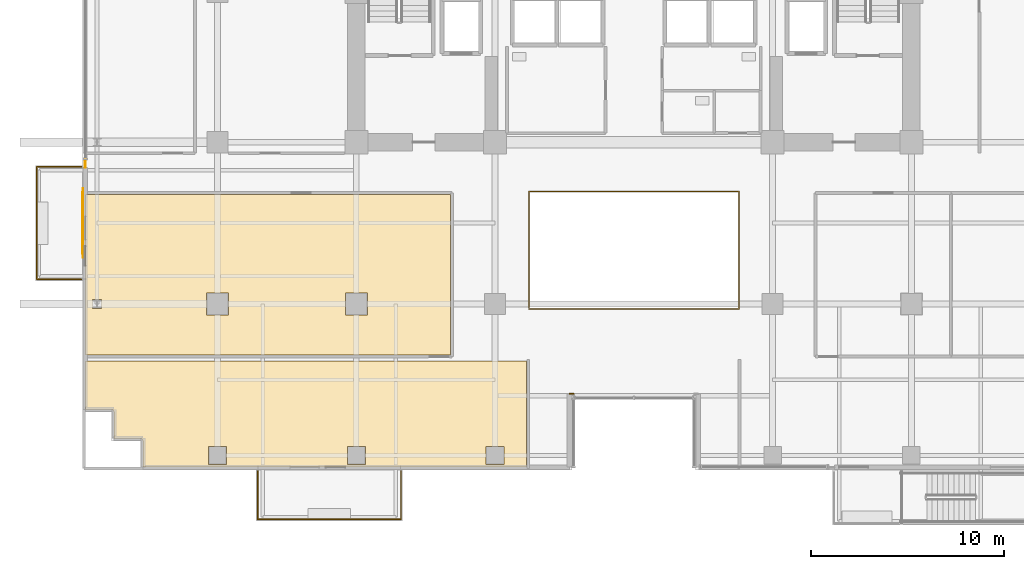
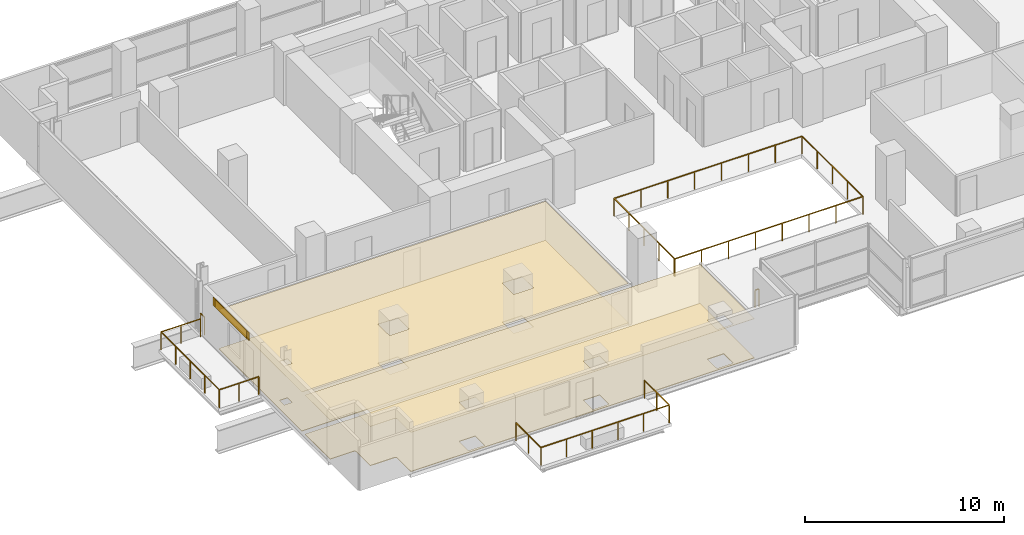
# One storey, part 28 of 31: 5 coverings, 5 railings, 1 shading device.
"""IFC4 building model written with IfcOpenShell, lengths in metres."""

from ifc_helpers import new_model, si_unit, direction, frame, origin, origin_2d, place, context, subcontext, project, spatial, polyline, rectangle, outline, extrude, source, transform, mapped, material, layer, layer_set, type_object, element, save


model = new_model("IFC4")

# Units and contexts
model_context = context("Model", 3, precision=1e-05, world=origin(), true_north=direction((0.0, 1.0)))
body_context = subcontext(model_context, "Body", "Model", "MODEL_VIEW")
ifc_project = project(units=[si_unit("LENGTHUNIT", "METRE"), si_unit("AREAUNIT", "SQUARE_METRE"), si_unit("VOLUMEUNIT", "CUBIC_METRE"), si_unit("PLANEANGLEUNIT", "RADIAN"), si_unit("MASSUNIT", "GRAM", prefix="KILO")], contexts=[model_context])

# Site, building, storey
site_placement = place(None, origin())
site = spatial("IfcSite", under=ifc_project, at=site_placement, CompositionType="ELEMENT")
building_placement = place(site_placement, origin())
building = spatial("IfcBuilding", under=site, at=building_placement, Name="Zarnakvel Exchange Tower", CompositionType="ELEMENT")
storey_placement = place(building_placement, frame((0.0, 0.0, 53.800048828125)))
storey = spatial("IfcBuildingStorey", under=building, at=storey_placement, Name="L14", CompositionType="ELEMENT", Elevation=53.800048828125)

# Coverings
ifc_material_1 = material(Name="Perforated Bronze Acoustic Metal Ceiling", Category="aluminium")
ifc_layer_1 = layer(ifc_material_1, 0.02001953125)
ifc_layer_set_1 = layer_set([ifc_layer_1], Name="Perforated Bronze Acoustic Metal Ceiling")
covering_type_1 = type_object("IfcCoveringType", Name="CLG-01", PredefinedType="CEILING", material=ifc_layer_set_1)
covering_1_placement = place(storey_placement, frame((0.0, 0.0, 2.405029296875)))
element("IfcCovering", 1, at=covering_1_placement, inside=storey, type_object=covering_type_1, Name="L14 Suspended Acoustic Ceiling (Commodities Dealing Room)", PredefinedType="CEILING", context=body_context, shape_type="SweptSolid", body=[
    extrude(outline(polyline([(-28.449951171875, -3.909912109375), (-9.510009765625, -3.909912109375), (-9.510009765625, -12.239990234375), (-28.449951171875, -12.239990234375), (-28.449951171875, -3.909912109375)]), holes=[polyline([(-13.830078125, -10.169921875), (-13.830078125, -9.030029296875), (-14.969970703125, -9.030029296875), (-14.969970703125, -10.169921875), (-13.830078125, -10.169921875)]), polyline([(-21.030029296875, -10.169921875), (-21.030029296875, -9.030029296875), (-22.169921875, -9.030029296875), (-22.169921875, -10.169921875), (-21.030029296875, -10.169921875)]), polyline([(-28.075927734375, -9.83251953125), (-27.6240234375, -9.83251953125), (-27.6240234375, -9.367431640625), (-28.075927734375, -9.367431640625), (-28.075927734375, -9.83251953125)])]), origin(), (0.0, 0.0, 1.0), 0.02001953125),
])
covering_2_placement = place(storey_placement, frame((0.0, 0.0, 2.405029296875)))
element("IfcCovering", 2, at=covering_2_placement, inside=storey, type_object=covering_type_1, Name="L14 Suspended Acoustic Ceiling (Commodities Dealing Room)", PredefinedType="CEILING", context=body_context, shape_type="SweptSolid", body=[
    extrude(outline(polyline([(-5.56005859375, -12.56005859375), (-5.56005859375, -18.050048828125), (-25.47998046875, -18.050048828125), (-25.47998046875, -16.699951171875), (-25.48046875, -16.688232421875), (-25.482421875, -16.676513671875), (-25.485107421875, -16.665283203125), (-25.489013671875, -16.654052734375), (-25.494140625, -16.643310546875), (-25.500244140625, -16.63330078125), (-25.50732421875, -16.623779296875), (-25.51513671875, -16.615234375), (-25.52392578125, -16.607177734375), (-25.533447265625, -16.600341796875), (-25.54345703125, -16.59423828125), (-25.55419921875, -16.589111328125), (-25.565185546875, -16.585205078125), (-25.57666015625, -16.582275390625), (-25.588134765625, -16.58056640625), (-25.60009765625, -16.580078125), (-26.97998046875, -16.580078125), (-26.97998046875, -15.199951171875), (-26.98046875, -15.188232421875), (-26.982421875, -15.176513671875), (-26.985107421875, -15.165283203125), (-26.989013671875, -15.154052734375), (-26.994140625, -15.143310546875), (-27.000244140625, -15.13330078125), (-27.00732421875, -15.123779296875), (-27.01513671875, -15.115234375), (-27.02392578125, -15.107177734375), (-27.033447265625, -15.100341796875), (-27.04345703125, -15.09423828125), (-27.05419921875, -15.089111328125), (-27.065185546875, -15.085205078125), (-27.07666015625, -15.082275390625), (-27.088134765625, -15.08056640625), (-27.10009765625, -15.080078125), (-28.449951171875, -15.080078125), (-28.449951171875, -12.56005859375), (-5.56005859375, -12.56005859375)]), holes=[polyline([(-6.72998046875, -17.919921875), (-6.72998046875, -16.97998046875), (-7.669921875, -16.97998046875), (-7.669921875, -17.919921875), (-6.72998046875, -17.919921875)]), polyline([(-13.929931640625, -17.919921875), (-13.929931640625, -16.97998046875), (-14.8701171875, -16.97998046875), (-14.8701171875, -17.919921875), (-13.929931640625, -17.919921875)]), polyline([(-21.1298828125, -17.919921875), (-21.1298828125, -16.97998046875), (-22.070068359375, -16.97998046875), (-22.070068359375, -17.919921875), (-21.1298828125, -17.919921875)])]), origin(), (0.0, 0.0, 1.0), 0.02001953125),
])
ifc_material_2 = material(Name="Heavy-Duty Raised Access Floor Panel", Category="steel")
ifc_layer_2 = layer(ifc_material_2, 0.034912109375)
ifc_layer_set_2 = layer_set([ifc_layer_2], Name="Heavy-Duty Raised Access Floor Panel")
covering_type_2 = type_object("IfcCoveringType", Name="FLR-02", PredefinedType="FLOORING", material=ifc_layer_set_2)
covering_3_placement = place(storey_placement, origin())
element("IfcCovering", 3, at=covering_3_placement, inside=storey, type_object=covering_type_2, Name="L14 Floor Finish (Commodities Dealing Room)", PredefinedType="FLOORING", context=body_context, shape_type="SweptSolid", body=[
    extrude(outline(polyline([(-28.449951171875, -3.909912109375), (-9.510009765625, -3.909912109375), (-9.510009765625, -12.239990234375), (-28.449951171875, -12.239990234375), (-28.449951171875, -3.909912109375)]), holes=[polyline([(-13.830078125, -10.169921875), (-13.830078125, -9.030029296875), (-14.969970703125, -9.030029296875), (-14.969970703125, -10.169921875), (-13.830078125, -10.169921875)]), polyline([(-21.030029296875, -10.169921875), (-21.030029296875, -9.030029296875), (-22.169921875, -9.030029296875), (-22.169921875, -10.169921875), (-21.030029296875, -10.169921875)]), polyline([(-28.075927734375, -9.83251953125), (-27.6240234375, -9.83251953125), (-27.6240234375, -9.367431640625), (-28.075927734375, -9.367431640625), (-28.075927734375, -9.83251953125)])]), origin(), (0.0, 0.0, 1.0), 0.034912109375),
])
covering_4_placement = place(storey_placement, origin())
element("IfcCovering", 4, at=covering_4_placement, inside=storey, type_object=covering_type_2, Name="L14 Floor Finish (Commodities Dealing Room)", PredefinedType="FLOORING", context=body_context, shape_type="SweptSolid", body=[
    extrude(outline(polyline([(-5.56005859375, -12.56005859375), (-5.56005859375, -18.050048828125), (-25.47998046875, -18.050048828125), (-25.47998046875, -16.699951171875), (-25.48046875, -16.688232421875), (-25.482421875, -16.676513671875), (-25.485107421875, -16.665283203125), (-25.489013671875, -16.654052734375), (-25.494140625, -16.643310546875), (-25.500244140625, -16.63330078125), (-25.50732421875, -16.623779296875), (-25.51513671875, -16.615234375), (-25.52392578125, -16.607177734375), (-25.533447265625, -16.600341796875), (-25.54345703125, -16.59423828125), (-25.55419921875, -16.589111328125), (-25.565185546875, -16.585205078125), (-25.57666015625, -16.582275390625), (-25.588134765625, -16.58056640625), (-25.60009765625, -16.580078125), (-26.97998046875, -16.580078125), (-26.97998046875, -15.199951171875), (-26.98046875, -15.188232421875), (-26.982421875, -15.176513671875), (-26.985107421875, -15.165283203125), (-26.989013671875, -15.154052734375), (-26.994140625, -15.143310546875), (-27.000244140625, -15.13330078125), (-27.00732421875, -15.123779296875), (-27.01513671875, -15.115234375), (-27.02392578125, -15.107177734375), (-27.033447265625, -15.100341796875), (-27.04345703125, -15.09423828125), (-27.05419921875, -15.089111328125), (-27.065185546875, -15.085205078125), (-27.07666015625, -15.082275390625), (-27.088134765625, -15.08056640625), (-27.10009765625, -15.080078125), (-28.449951171875, -15.080078125), (-28.449951171875, -12.56005859375), (-5.56005859375, -12.56005859375)]), holes=[polyline([(-6.72998046875, -17.919921875), (-6.72998046875, -16.97998046875), (-7.669921875, -16.97998046875), (-7.669921875, -17.919921875), (-6.72998046875, -17.919921875)]), polyline([(-13.929931640625, -17.919921875), (-13.929931640625, -16.97998046875), (-14.8701171875, -16.97998046875), (-14.8701171875, -17.919921875), (-13.929931640625, -17.919921875)]), polyline([(-21.1298828125, -17.919921875), (-21.1298828125, -16.97998046875), (-22.070068359375, -16.97998046875), (-22.070068359375, -17.919921875), (-21.1298828125, -17.919921875)])]), origin(), (0.0, 0.0, 1.0), 0.034912109375),
])

# Railings
ifc_material_3 = material(Name="Architectural Bronze Anodised Aluminium", Category="aluminium")
railing_type_1 = type_object("IfcRailingType", Name="GR-02", PredefinedType="GUARDRAIL", material=ifc_material_3)
railing_1_placement = place(storey_placement, frame((-19.52001953125, -18.280029296875, -0.03515625)))
element("IfcRailing", 5, at=railing_1_placement, inside=storey, type_object=railing_type_1, Name="L14 Balcony Guardrail BAL-L14-SW", PredefinedType="GUARDRAIL", context=body_context, shape_type="SweptSolid", body=[
    extrude(rectangle(XDim=0.048095703125, YDim=0.048095703125, at=origin_2d()), frame((0.0, 0.0, 1.09619140625), z_axis=(0.0, -1.0, 0.0), x_axis=(1.0, 0.0, 0.0)), (0.0, 0.0, 1.0), 2.489990234375),
    extrude(rectangle(XDim=0.048095703125, YDim=0.048095703125, at=origin_2d()), frame((0.0, -2.489990234375, 1.09619140625), z_axis=(1.0, 0.0, 0.0), x_axis=(0.0, 1.0, 0.0)), (0.0, 0.0, 1.0), 7.43994140625),
    extrude(rectangle(XDim=0.048095703125, YDim=0.048095703125, at=origin_2d()), frame((7.43994140625, -2.489990234375, 1.09619140625), z_axis=(0.0, 1.0, 0.0), x_axis=(-1.0, 0.0, 0.0)), (0.0, 0.0, 1.0), 2.489990234375),
    extrude(rectangle(XDim=0.0419921875, YDim=0.0419921875, at=origin_2d()), origin(), (0.0, 0.0, 1.0), 1.072021484375),
    extrude(rectangle(XDim=0.0419921875, YDim=0.0419921875, at=origin_2d()), frame((0.0, -1.2451171875, 0.0)), (0.0, 0.0, 1.0), 1.072021484375),
    extrude(rectangle(XDim=0.0419921875, YDim=0.0419921875, at=origin_2d()), frame((0.0, -2.489990234375, 0.0)), (0.0, 0.0, 1.0), 1.072021484375),
    extrude(rectangle(XDim=0.0419921875, YDim=0.0419921875, at=origin_2d()), frame((1.488037109375, -2.489990234375, 0.0)), (0.0, 0.0, 1.0), 1.072021484375),
    extrude(rectangle(XDim=0.0419921875, YDim=0.0419921875, at=origin_2d()), frame((2.97607421875, -2.489990234375, 0.0)), (0.0, 0.0, 1.0), 1.072021484375),
    extrude(rectangle(XDim=0.0419921875, YDim=0.0419921875, at=origin_2d()), frame((4.4638671875, -2.489990234375, 0.0)), (0.0, 0.0, 1.0), 1.072021484375),
    extrude(rectangle(XDim=0.0419921875, YDim=0.0419921875, at=origin_2d()), frame((5.951904296875, -2.489990234375, 0.0)), (0.0, 0.0, 1.0), 1.072021484375),
    extrude(rectangle(XDim=0.0419921875, YDim=0.0419921875, at=origin_2d()), frame((7.43994140625, -2.489990234375, 0.0)), (0.0, 0.0, 1.0), 1.072021484375),
    extrude(rectangle(XDim=0.0419921875, YDim=0.0419921875, at=origin_2d()), frame((7.43994140625, -1.2451171875, 0.0)), (0.0, 0.0, 1.0), 1.072021484375),
    extrude(rectangle(XDim=0.0419921875, YDim=0.0419921875, at=origin_2d()), frame((7.43994140625, 0.0, 0.0)), (0.0, 0.0, 1.0), 1.072021484375),
])
railing_2_placement = place(storey_placement, frame((-28.679931640625, -8.320068359375, -0.03515625)))
element("IfcRailing", 6, at=railing_2_placement, inside=storey, type_object=railing_type_1, Name="L14 Balcony Guardrail BAL-L14-W", PredefinedType="GUARDRAIL", context=body_context, shape_type="SweptSolid", body=[
    extrude(rectangle(XDim=0.048095703125, YDim=0.048095703125, at=origin_2d()), frame((0.0, 0.0, 1.09619140625), z_axis=(-1.0, 0.0, 0.0), x_axis=(0.0, -1.0, 0.0)), (0.0, 0.0, 1.0), 2.2900390625),
    extrude(rectangle(XDim=0.048095703125, YDim=0.048095703125, at=origin_2d()), frame((-2.2900390625, 0.0, 1.09619140625), z_axis=(0.0, 1.0, 0.0), x_axis=(-1.0, 0.0, 0.0)), (0.0, 0.0, 1.0), 5.840087890625),
    extrude(rectangle(XDim=0.048095703125, YDim=0.048095703125, at=origin_2d()), frame((-2.2900390625, 5.840087890625, 1.09619140625), z_axis=(1.0, 0.0, 0.0), x_axis=(0.0, 1.0, 0.0)), (0.0, 0.0, 1.0), 2.2900390625),
    extrude(rectangle(XDim=0.0419921875, YDim=0.0419921875, at=origin_2d()), origin(), (0.0, 0.0, 1.0), 1.072021484375),
    extrude(rectangle(XDim=0.0419921875, YDim=0.0419921875, at=origin_2d()), frame((-1.14501953125, 0.0, 0.0)), (0.0, 0.0, 1.0), 1.072021484375),
    extrude(rectangle(XDim=0.0419921875, YDim=0.0419921875, at=origin_2d()), frame((-2.2900390625, 0.0, 0.0)), (0.0, 0.0, 1.0), 1.072021484375),
    extrude(rectangle(XDim=0.0419921875, YDim=0.0419921875, at=origin_2d()), frame((-2.2900390625, 1.4599609375, 0.0)), (0.0, 0.0, 1.0), 1.072021484375),
    extrude(rectangle(XDim=0.0419921875, YDim=0.0419921875, at=origin_2d()), frame((-2.2900390625, 2.919921875, 0.0)), (0.0, 0.0, 1.0), 1.072021484375),
    extrude(rectangle(XDim=0.0419921875, YDim=0.0419921875, at=origin_2d()), frame((-2.2900390625, 4.380126953125, 0.0)), (0.0, 0.0, 1.0), 1.072021484375),
    extrude(rectangle(XDim=0.0419921875, YDim=0.0419921875, at=origin_2d()), frame((-2.2900390625, 5.840087890625, 0.0)), (0.0, 0.0, 1.0), 1.072021484375),
    extrude(rectangle(XDim=0.0419921875, YDim=0.0419921875, at=origin_2d()), frame((-1.14501953125, 5.840087890625, 0.0)), (0.0, 0.0, 1.0), 1.072021484375),
    extrude(rectangle(XDim=0.0419921875, YDim=0.0419921875, at=origin_2d()), frame((0.0, 5.840087890625, 0.0)), (0.0, 0.0, 1.0), 1.072021484375),
])
railing_3_placement = place(storey_placement, frame((-28.4599609375, -2.5, 0.0)))
element("IfcRailing", 7, at=railing_3_placement, inside=storey, type_object=railing_type_1, Name="L14 Corner Spandrel Balustrade #2", PredefinedType="GUARDRAIL", context=body_context, shape_type="SweptSolid", body=[
    extrude(rectangle(XDim=0.048095703125, YDim=0.048095703125, at=origin_2d()), frame((0.0, 0.0, 1.09619140625), z_axis=(0.0, 1.0, 0.0), x_axis=(-1.0, 0.0, 0.0)), (0.0, 0.0, 1.0), 0.39990234375),
    extrude(rectangle(XDim=0.0419921875, YDim=0.0419921875, at=origin_2d()), origin(), (0.0, 0.0, 1.0), 1.072021484375),
    extrude(rectangle(XDim=0.0419921875, YDim=0.0419921875, at=origin_2d()), frame((0.0, 0.39990234375, 0.0)), (0.0, 0.0, 1.0), 1.072021484375),
])
railing_4_placement = place(storey_placement, frame((-3.1201171875, -14.260009765625, 0.0)))
element("IfcRailing", 8, at=railing_4_placement, inside=storey, type_object=railing_type_1, Name="L14 Corner Spandrel Balustrade #19", PredefinedType="GUARDRAIL", context=body_context, shape_type="SweptSolid", body=[
    extrude(rectangle(XDim=0.048095703125, YDim=0.048095703125, at=origin_2d()), frame((0.0, 0.0, 1.09619140625), z_axis=(-1.0, 0.0, 0.0), x_axis=(0.0, -1.0, 0.0)), (0.0, 0.0, 1.0), 0.219970703125),
    extrude(rectangle(XDim=0.0419921875, YDim=0.0419921875, at=origin_2d()), origin(), (0.0, 0.0, 1.0), 1.072021484375),
    extrude(rectangle(XDim=0.0419921875, YDim=0.0419921875, at=origin_2d()), frame((-0.219970703125, 0.0, 0.0)), (0.0, 0.0, 1.0), 1.072021484375),
])
railing_type_2 = type_object("IfcRailingType", Name="GR-03", PredefinedType="GUARDRAIL", material=ifc_material_3)
railing_5_placement = place(storey_placement, frame((-5.449951171875, -9.85009765625, 0.0)))
element("IfcRailing", 9, at=railing_5_placement, inside=storey, type_object=railing_type_2, Name="L14 Atrium Void Perimeter Balustrade", PredefinedType="GUARDRAIL", context=body_context, shape_type="SweptSolid", body=[
    extrude(rectangle(XDim=0.048095703125, YDim=0.048095703125, at=origin_2d()), frame((0.0, 0.0, 1.076171875), z_axis=(1.0, 0.0, 0.0), x_axis=(0.0, 1.0, 0.0)), (0.0, 0.0, 1.0), 10.89990234375),
    extrude(rectangle(XDim=0.048095703125, YDim=0.048095703125, at=origin_2d()), frame((10.89990234375, 0.0, 1.076171875), z_axis=(0.0, 1.0, 0.0), x_axis=(-1.0, 0.0, 0.0)), (0.0, 0.0, 1.0), 6.10009765625),
    extrude(rectangle(XDim=0.048095703125, YDim=0.048095703125, at=origin_2d()), frame((10.89990234375, 6.10009765625, 1.076171875), z_axis=(-1.0, 0.0, 0.0), x_axis=(0.0, -1.0, 0.0)), (0.0, 0.0, 1.0), 10.89990234375),
    extrude(rectangle(XDim=0.048095703125, YDim=0.048095703125, at=origin_2d()), frame((0.0, 6.10009765625, 1.076171875), z_axis=(0.0, -1.0, 0.0), x_axis=(1.0, 0.0, 0.0)), (0.0, 0.0, 1.0), 6.02001953125),
    extrude(rectangle(XDim=0.0419921875, YDim=0.0419921875, at=origin_2d()), origin(), (0.0, 0.0, 1.0), 1.052001953125),
    extrude(rectangle(XDim=0.0419921875, YDim=0.0419921875, at=origin_2d()), frame((1.55712890625, 0.0, 0.0)), (0.0, 0.0, 1.0), 1.052001953125),
    extrude(rectangle(XDim=0.0419921875, YDim=0.0419921875, at=origin_2d()), frame((3.1142578125, 0.0, 0.0)), (0.0, 0.0, 1.0), 1.052001953125),
    extrude(rectangle(XDim=0.0419921875, YDim=0.0419921875, at=origin_2d()), frame((4.67138671875, 0.0, 0.0)), (0.0, 0.0, 1.0), 1.052001953125),
    extrude(rectangle(XDim=0.0419921875, YDim=0.0419921875, at=origin_2d()), frame((6.228515625, 0.0, 0.0)), (0.0, 0.0, 1.0), 1.052001953125),
    extrude(rectangle(XDim=0.0419921875, YDim=0.0419921875, at=origin_2d()), frame((7.78564453125, 0.0, 0.0)), (0.0, 0.0, 1.0), 1.052001953125),
    extrude(rectangle(XDim=0.0419921875, YDim=0.0419921875, at=origin_2d()), frame((9.3427734375, 0.0, 0.0)), (0.0, 0.0, 1.0), 1.052001953125),
    extrude(rectangle(XDim=0.0419921875, YDim=0.0419921875, at=origin_2d()), frame((10.89990234375, 0.0, 0.0)), (0.0, 0.0, 1.0), 1.052001953125),
    extrude(rectangle(XDim=0.0419921875, YDim=0.0419921875, at=origin_2d()), frame((10.89990234375, 1.52490234375, 0.0)), (0.0, 0.0, 1.0), 1.052001953125),
    extrude(rectangle(XDim=0.0419921875, YDim=0.0419921875, at=origin_2d()), frame((10.89990234375, 3.050048828125, 0.0)), (0.0, 0.0, 1.0), 1.052001953125),
    extrude(rectangle(XDim=0.0419921875, YDim=0.0419921875, at=origin_2d()), frame((10.89990234375, 4.5751953125, 0.0)), (0.0, 0.0, 1.0), 1.052001953125),
    extrude(rectangle(XDim=0.0419921875, YDim=0.0419921875, at=origin_2d()), frame((10.89990234375, 6.10009765625, 0.0)), (0.0, 0.0, 1.0), 1.052001953125),
    extrude(rectangle(XDim=0.0419921875, YDim=0.0419921875, at=origin_2d()), frame((9.3427734375, 6.10009765625, 0.0)), (0.0, 0.0, 1.0), 1.052001953125),
    extrude(rectangle(XDim=0.0419921875, YDim=0.0419921875, at=origin_2d()), frame((7.78564453125, 6.10009765625, 0.0)), (0.0, 0.0, 1.0), 1.052001953125),
    extrude(rectangle(XDim=0.0419921875, YDim=0.0419921875, at=origin_2d()), frame((6.228515625, 6.10009765625, 0.0)), (0.0, 0.0, 1.0), 1.052001953125),
    extrude(rectangle(XDim=0.0419921875, YDim=0.0419921875, at=origin_2d()), frame((4.67138671875, 6.10009765625, 0.0)), (0.0, 0.0, 1.0), 1.052001953125),
    extrude(rectangle(XDim=0.0419921875, YDim=0.0419921875, at=origin_2d()), frame((3.1142578125, 6.10009765625, 0.0)), (0.0, 0.0, 1.0), 1.052001953125),
    extrude(rectangle(XDim=0.0419921875, YDim=0.0419921875, at=origin_2d()), frame((1.55712890625, 6.10009765625, 0.0)), (0.0, 0.0, 1.0), 1.052001953125),
    extrude(rectangle(XDim=0.0419921875, YDim=0.0419921875, at=origin_2d()), frame((0.0, 6.10009765625, 0.0)), (0.0, 0.0, 1.0), 1.052001953125),
    extrude(rectangle(XDim=0.0419921875, YDim=0.0419921875, at=origin_2d()), frame((0.0, 4.59521484375, 0.0)), (0.0, 0.0, 1.0), 1.052001953125),
    extrude(rectangle(XDim=0.0419921875, YDim=0.0419921875, at=origin_2d()), frame((0.0, 3.090087890625, 0.0)), (0.0, 0.0, 1.0), 1.052001953125),
    extrude(rectangle(XDim=0.0419921875, YDim=0.0419921875, at=origin_2d()), frame((0.0, 1.5849609375, 0.0)), (0.0, 0.0, 1.0), 1.052001953125),
    extrude(rectangle(XDim=0.0419921875, YDim=0.0419921875, at=origin_2d()), frame((0.0, 0.080078125, 0.0)), (0.0, 0.0, 1.0), 1.052001953125),
])

# Shading device
ifc_material_4 = material(Name="Perforated Architectural Bronze Screen", Category="aluminium")
ifc_layer_3 = layer(ifc_material_4, 0.044921875)
ifc_layer_set_3 = layer_set([ifc_layer_3], Name="Perforated Architectural Bronze Screen")
shading_device_type = type_object("IfcShadingDeviceType", Name="SS-01", PredefinedType="JALOUSIE", material=ifc_layer_set_3)
shared_shape_1 = source(origin(), body_context, "Body", "SweptSolid", [
    extrude(rectangle(XDim=3.199951171875, YDim=0.044921875, at=origin_2d()), origin(), (0.0, 0.0, 1.0), 0.4951171875),
])
shading_device_placement = place(storey_placement, frame((-28.6005859375, -5.39990234375, 2.559814453125), z_axis=(0.0, 0.0, 1.0), x_axis=(0.0, 1.0, 0.0)))
element("IfcShadingDevice", 10, at=shading_device_placement, inside=storey, type_object=shading_device_type, Name="L14 Bronze Solar Shading Screen SS-01", PredefinedType="JALOUSIE", context=body_context, shape_type="MappedRepresentation", body=[
    mapped(shared_shape_1, transform((0.0, 0.0, 0.0), x_axis=(1.0, 0.0, 0.0), y_axis=(0.0, 1.0, 0.0), z_axis=(0.0, 0.0, 1.0), scale=1.0)),
])

# Covering
ifc_material_5 = material(Name="Glazed Turquoise Ceramic Architectural Tile", Category="ceramic")
ifc_layer_4 = layer(ifc_material_5, 0.028076171875)
ifc_layer_set_4 = layer_set([ifc_layer_4], Name="Glazed Turquoise Ceramic Architectural Tile")
covering_type_3 = type_object("IfcCoveringType", Name="CL-01", PredefinedType="CLADDING", material=ifc_layer_set_4)
shared_shape_2 = source(origin(), body_context, "Body", "SweptSolid", [
    extrude(rectangle(XDim=3.60009765625, YDim=0.028076171875, at=origin_2d()), origin(), (0.0, 0.0, 1.0), 0.4951171875),
])
covering_5_placement = place(storey_placement, frame((-28.592041015625, -5.39990234375, 2.559814453125), z_axis=(0.0, 0.0, 1.0), x_axis=(0.0, 1.0, 0.0)))
element("IfcCovering", 11, at=covering_5_placement, inside=storey, type_object=covering_type_3, Name="L14 Ceramic Spandrel Tilework CL-01", PredefinedType="CLADDING", context=body_context, shape_type="MappedRepresentation", body=[
    mapped(shared_shape_2, transform((0.0, 0.0, 0.0), x_axis=(1.0, 0.0, 0.0), y_axis=(0.0, 1.0, 0.0), z_axis=(0.0, 0.0, 1.0), scale=1.0)),
])

save(model, "model.ifc")
